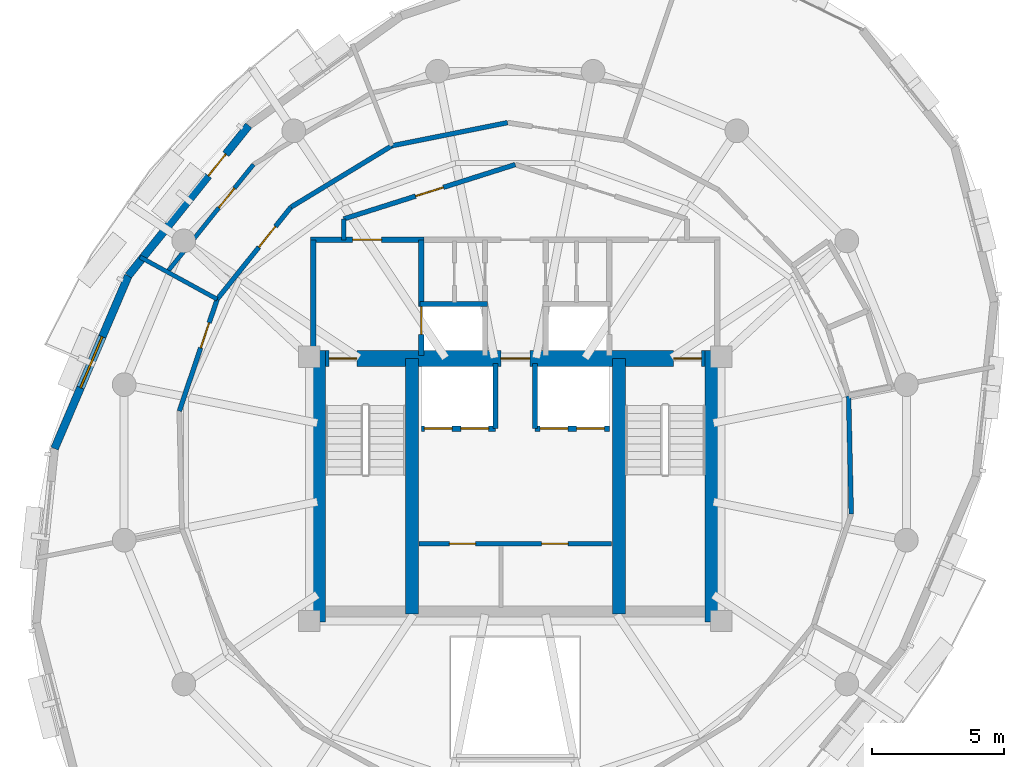
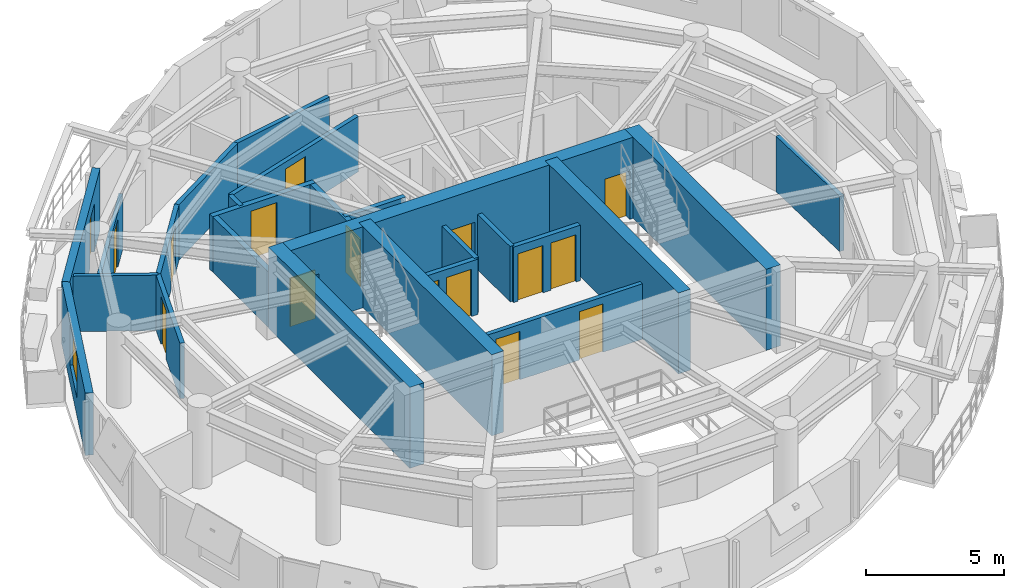
# One storey, part 7 of 11: 25 walls, 16 doors, 1 window, 17 openings.
"""IFC4 building model written with IfcOpenShell, lengths in metres."""

from ifc_helpers import new_model, si_unit, direction, frame, frame_2d, origin, place, context, subcontext, project, spatial, rectangle, extrude, material, layer, layer_set, type_object, element, fill, save


model = new_model("IFC4")

# Units and contexts
model_context = context("Model", 3, precision=1e-05, world=origin(), true_north=direction((0.0, 1.0)))
body_context = subcontext(model_context, "Body", "Model", "MODEL_VIEW")
ifc_project = project(units=[si_unit("LENGTHUNIT", "METRE"), si_unit("AREAUNIT", "SQUARE_METRE"), si_unit("VOLUMEUNIT", "CUBIC_METRE"), si_unit("PLANEANGLEUNIT", "RADIAN"), si_unit("MASSUNIT", "GRAM", prefix="KILO"), si_unit("THERMODYNAMICTEMPERATUREUNIT", "KELVIN"), si_unit("POWERUNIT", "WATT")], contexts=[model_context])

# Site, building, storey
site_placement = place(None, origin())
site = spatial("IfcSite", under=ifc_project, at=site_placement, CompositionType="ELEMENT")
building_placement = place(site_placement, origin())
building = spatial("IfcBuilding", under=site, at=building_placement, Name="Ocrelia Relay Tower", CompositionType="ELEMENT")
storey_placement = place(building_placement, frame((0.0, 0.0, 244.800048828125)))
storey = spatial("IfcBuildingStorey", under=building, at=storey_placement, Name="L60", CompositionType="ELEMENT", Elevation=244.800048828125)

# Wall, openings, doors
ifc_material_1 = material(Name="Concrete C50/60", Category="concrete")
ifc_layer_1 = layer(ifc_material_1, 0.60009765625, Name="Concrete C50/60")
ifc_layer_set_1 = layer_set([ifc_layer_1], Name="Concrete C50/60")
wall_type_1 = type_object("IfcWallType", Name="CW-CORE-600B", PredefinedType="SHEAR", material=ifc_layer_set_1)
wall_1_placement = place(storey_placement, frame((26.221923828125, 29.93798828125, 0.0), z_axis=(0.0, 0.0, 1.0), x_axis=(1.0, 0.0, 0.0)))
wall_1 = element("IfcWall", 1, at=wall_1_placement, inside=storey, type_object=wall_type_1, Name="L60 Core Shear Wall N", PredefinedType="SHEAR", context=body_context, shape_type="SweptSolid", body=[
    extrude(rectangle(XDim=15.566162109375, YDim=0.60009765625, at=frame_2d((7.783203125, 0.0))), origin(), (0.0, 0.0, 1.0), 3.599853515625),
])
opening_1_placement = place(wall_1_placement, frame((0.72802734375, 0.0, 0.0)))
opening_1 = element("IfcOpeningElement", 2, at=opening_1_placement, cuts=wall_1, Name="Opening D-FD90", PredefinedType="OPENING", context=body_context, shape_type="SweptSolid", body=[
    extrude(rectangle(XDim=1.050048828125, YDim=2.14990234375, at=frame_2d((0.52490234375, 1.074951171875))), frame((0.0, 0.31005859375, 0.0), z_axis=(0.0, -1.0, 0.0), x_axis=(1.0, 0.0, 0.0)), (0.0, 0.0, 1.0), 0.6201171875),
])
opening_2_placement = place(wall_1_placement, frame((13.778076171875, 0.0, 0.0)))
opening_2 = element("IfcOpeningElement", 3, at=opening_2_placement, cuts=wall_1, Name="Opening D-FD90", PredefinedType="OPENING", context=body_context, shape_type="SweptSolid", body=[
    extrude(rectangle(XDim=1.050048828125, YDim=2.14990234375, at=frame_2d((0.52490234375, 1.074951171875))), frame((0.0, 0.31005859375, 0.0), z_axis=(0.0, -1.0, 0.0), x_axis=(1.0, 0.0, 0.0)), (0.0, 0.0, 1.0), 0.6201171875),
])
opening_3_placement = place(wall_1_placement, frame((7.22802734375, 0.0, 0.0)))
opening_3 = element("IfcOpeningElement", 4, at=opening_3_placement, cuts=wall_1, Name="Opening D-FD60", PredefinedType="OPENING", context=body_context, shape_type="SweptSolid", body=[
    extrude(rectangle(XDim=1.10009765625, YDim=2.14990234375, at=frame_2d((0.550048828125, 1.074951171875))), frame((0.0, 0.31005859375, 0.0), z_axis=(0.0, -1.0, 0.0), x_axis=(1.0, 0.0, 0.0)), (0.0, 0.0, 1.0), 0.6201171875),
])
ifc_material_2 = material(Name="Timber-core 60-min acoustic fire door", Category="wood")
door_type_1 = type_object("IfcDoorType", Name="DR-LOBBY-FD60-1100", OperationType="NOTDEFINED", PredefinedType="DOOR", material=ifc_material_2)
door_1_placement = place(opening_3_placement, origin())
door_1 = element("IfcDoor", 5, at=door_1_placement, inside=storey, type_object=door_type_1, Name="L60 Core Lift Lobby North Fire Door", OperationType="SINGLE_SWING_RIGHT", OverallHeight=2.14990234375, OverallWidth=1.10009765625, PredefinedType="DOOR", context=body_context, shape_type="SweptSolid", body=[
    extrude(rectangle(XDim=1.10009765625, YDim=2.14990234375, at=frame_2d((0.550048828125, 1.074951171875))), frame((0.0, 0.02490234375, 0.0), z_axis=(0.0, -1.0, 0.0), x_axis=(1.0, 0.0, 0.0)), (0.0, 0.0, 1.0), 0.050048828125),
])
fill(opening_3, door_1)
ifc_material_3 = material(Name="Steel S355 90-min fire door", Category="steel")
door_type_2 = type_object("IfcDoorType", Name="DR-STAIR-FD90-1050", OperationType="NOTDEFINED", PredefinedType="DOOR", material=ifc_material_3)
door_2_placement = place(opening_1_placement, origin())
door_2 = element("IfcDoor", 6, at=door_2_placement, inside=storey, type_object=door_type_2, Name="L60 Stair ST1 Fire Door", OperationType="SINGLE_SWING_RIGHT", OverallHeight=2.14990234375, OverallWidth=1.050048828125, PredefinedType="DOOR", context=body_context, shape_type="SweptSolid", body=[
    extrude(rectangle(XDim=1.050048828125, YDim=2.14990234375, at=frame_2d((0.52490234375, 1.074951171875))), frame((0.0, 0.02490234375, 0.0), z_axis=(0.0, -1.0, 0.0), x_axis=(1.0, 0.0, 0.0)), (0.0, 0.0, 1.0), 0.050048828125),
])
fill(opening_1, door_2)
door_3_placement = place(opening_2_placement, origin())
door_3 = element("IfcDoor", 7, at=door_3_placement, inside=storey, type_object=door_type_2, Name="L60 Stair ST2 Fire Door", OperationType="SINGLE_SWING_LEFT", OverallHeight=2.14990234375, OverallWidth=1.050048828125, PredefinedType="DOOR", context=body_context, shape_type="SweptSolid", body=[
    extrude(rectangle(XDim=1.050048828125, YDim=2.14990234375, at=frame_2d((0.52490234375, 1.074951171875))), frame((0.0, 0.02490234375, 0.0), z_axis=(0.0, -1.0, 0.0), x_axis=(1.0, 0.0, 0.0)), (0.0, 0.0, 1.0), 0.050048828125),
])
fill(opening_2, door_3)

# Walls
for number, where, z_axis, x_axis, name in (
    (8, (26.52197265625, 19.9619140625, 0.0), (0.0, 0.0, 1.0), (0.0, 1.0, 0.0), "L60 Core Shear Wall W"),
    (9, (41.488037109375, 19.9619140625, 0.0), (0.0, 0.0, 1.0), (0.0, 1.0, 0.0), "L60 Core Shear Wall E"),
):
    element("IfcWall", number, at=place(storey_placement, frame(where, z_axis=z_axis, x_axis=x_axis)), inside=storey, type_object=wall_type_1, Name=name, PredefinedType="SHEAR", context=body_context, shape_type="SweptSolid", body=[
        extrude(rectangle(XDim=10.276123046875, YDim=0.60009765625, at=frame_2d((5.13818359375, 0.0))), origin(), (0.0, 0.0, 1.0), 3.599853515625),
    ])
for number, where, z_axis, x_axis, name in (
    (10, (30.087890625, 20.261962890625, 0.0), (0.0, 0.0, 1.0), (0.0, 1.0, 0.0), "L60 Core Shear Wall SPW"),
    (11, (37.922119140625, 20.261962890625, 0.0), (0.0, 0.0, 1.0), (0.0, 1.0, 0.0), "L60 Core Shear Wall SPE"),
):
    element("IfcWall", number, at=place(storey_placement, frame(where, z_axis=z_axis, x_axis=x_axis)), inside=storey, type_object=wall_type_1, Name=name, PredefinedType="SHEAR", context=body_context, shape_type="SweptSolid", body=[
        extrude(rectangle(XDim=9.676025390625, YDim=0.5, at=frame_2d((4.837890625, 0.0))), origin(), (0.0, 0.0, 1.0), 3.599853515625),
    ])

# Wall, openings, doors
ifc_material_4 = material(Name="Gypsum Fireboard Partition EI60", Category="gypsum")
ifc_layer_2 = layer(ifc_material_4, 0.179931640625, Name="Gypsum Fireboard Partition EI60")
ifc_layer_set_2 = layer_set([ifc_layer_2], Name="Gypsum Fireboard Partition EI60")
wall_type_2 = type_object("IfcWallType", Name="W-CORR-EI60-180", PredefinedType="PARTITIONING", material=ifc_layer_set_2)
wall_2_placement = place(storey_placement, frame((30.35009765625, 22.919921875, 0.0), z_axis=(0.0, 0.0, 1.0), x_axis=(1.0, 0.0, 0.0)))
wall_2 = element("IfcWall", 12, at=wall_2_placement, inside=storey, type_object=wall_type_2, Name="L60 Reclaimed Core Room Partition", PredefinedType="PARTITIONING", context=body_context, shape_type="SweptSolid", body=[
    extrude(rectangle(XDim=7.2998046875, YDim=0.179931640625, at=frame_2d((3.64990234375, 0.0))), origin(), (0.0, 0.0, 1.0), 2.4599609375),
])
opening_4_placement = place(wall_2_placement, frame((1.14990234375, 0.0, 0.0)))
opening_4 = element("IfcOpeningElement", 13, at=opening_4_placement, cuts=wall_2, Name="Opening D-RM100", PredefinedType="OPENING", context=body_context, shape_type="SweptSolid", body=[
    extrude(rectangle(XDim=1.0, YDim=2.14990234375, at=frame_2d((0.5, 1.074951171875))), frame((0.0, 0.10009765625, 0.0), z_axis=(0.0, -1.0, 0.0), x_axis=(1.0, 0.0, 0.0)), (0.0, 0.0, 1.0), 0.199951171875),
])
opening_5_placement = place(wall_2_placement, frame((4.64990234375, 0.0, 0.0)))
opening_5 = element("IfcOpeningElement", 14, at=opening_5_placement, cuts=wall_2, Name="Opening D-RM100", PredefinedType="OPENING", context=body_context, shape_type="SweptSolid", body=[
    extrude(rectangle(XDim=1.0, YDim=2.14990234375, at=frame_2d((0.5, 1.074951171875))), frame((0.0, 0.10009765625, 0.0), z_axis=(0.0, -1.0, 0.0), x_axis=(1.0, 0.0, 0.0)), (0.0, 0.0, 1.0), 0.199951171875),
])
ifc_material_5 = material(Name="Acoustic oak veneer fire door", Category="wood")
door_type_3 = type_object("IfcDoorType", Name="DR-ROOM-FD60-1000", OperationType="NOTDEFINED", PredefinedType="DOOR", material=ifc_material_5)
door_4_placement = place(opening_4_placement, origin())
door_4 = element("IfcDoor", 15, at=door_4_placement, inside=storey, type_object=door_type_3, Name="L60 Reclaimed Core Room 1 Door", OperationType="SINGLE_SWING_RIGHT", OverallHeight=2.14990234375, OverallWidth=1.0, PredefinedType="DOOR", context=body_context, shape_type="SweptSolid", body=[
    extrude(rectangle(XDim=1.0, YDim=2.14990234375, at=frame_2d((0.5, 1.074951171875))), frame((0.0, 0.02490234375, 0.0), z_axis=(0.0, -1.0, 0.0), x_axis=(1.0, 0.0, 0.0)), (0.0, 0.0, 1.0), 0.050048828125),
])
fill(opening_4, door_4)
door_5_placement = place(opening_5_placement, origin())
door_5 = element("IfcDoor", 16, at=door_5_placement, inside=storey, type_object=door_type_3, Name="L60 Reclaimed Core Room 2 Door", OperationType="SINGLE_SWING_LEFT", OverallHeight=2.14990234375, OverallWidth=1.0, PredefinedType="DOOR", context=body_context, shape_type="SweptSolid", body=[
    extrude(rectangle(XDim=1.0, YDim=2.14990234375, at=frame_2d((0.5, 1.074951171875))), frame((0.0, 0.02490234375, 0.0), z_axis=(0.0, -1.0, 0.0), x_axis=(1.0, 0.0, 0.0)), (0.0, 0.0, 1.0), 0.050048828125),
])
fill(opening_5, door_5)

# Wall
wall_3_placement = place(storey_placement, frame((27.5, 34.429931640625, 0.0), z_axis=(0.0, 0.0, 1.0), x_axis=(0.0, 1.0, 0.0)))
element("IfcWall", 17, at=wall_3_placement, inside=storey, type_object=wall_type_2, Name="L60 Smoke Lobby West Return", PredefinedType="PARTITIONING", context=body_context, shape_type="SweptSolid", body=[
    extrude(rectangle(XDim=0.7890625, YDim=0.179931640625, at=frame_2d((0.39453125, 0.0))), origin(), (0.0, 0.0, 1.0), 2.4599609375),
])

# Wall, opening, door
wall_4_placement = place(storey_placement, frame((27.5, 35.218994140625, 0.0), z_axis=(0.0, 0.0, 1.0), x_axis=(0.953228121756, 0.302251795518, 0.0)))
wall_4 = element("IfcWall", 18, at=wall_4_placement, inside=storey, type_object=wall_type_2, Name="L60 North Smoke Lobby W Screen Wall", PredefinedType="PARTITIONING", context=body_context, shape_type="SweptSolid", body=[
    extrude(rectangle(XDim=6.81884765625, YDim=0.179931640625, at=frame_2d((3.409423828125, 0.0))), origin(), (0.0, 0.0, 1.0), 2.4599609375),
])
opening_6_placement = place(wall_4_placement, frame((2.859619140625, 0.0, 0.0)))
opening_6 = element("IfcOpeningElement", 19, at=opening_6_placement, cuts=wall_4, Name="Opening D-FD60", PredefinedType="OPENING", context=body_context, shape_type="SweptSolid", body=[
    extrude(rectangle(XDim=1.10009765625, YDim=2.14990234375, at=frame_2d((0.550048828125, 1.074951171875))), frame((0.0, 0.10009765625, 0.0), z_axis=(0.0, -1.0, 0.0), x_axis=(1.0, 0.0, 0.0)), (0.0, 0.0, 1.0), 0.199951171875),
])
door_6_placement = place(opening_6_placement, origin())
door_6 = element("IfcDoor", 20, at=door_6_placement, inside=storey, type_object=door_type_1, Name="L60 North Smoke Lobby W Fire Door", OperationType="SINGLE_SWING_RIGHT", OverallHeight=2.14990234375, OverallWidth=1.10009765625, PredefinedType="DOOR", context=body_context, shape_type="SweptSolid", body=[
    extrude(rectangle(XDim=1.10009765625, YDim=2.14990234375, at=frame_2d((0.550048828125, 1.074951171875))), frame((0.0, 0.02490234375, 0.0), z_axis=(0.0, -1.0, 0.0), x_axis=(1.0, 0.0, 0.0)), (0.0, 0.0, 1.0), 0.050048828125),
])
fill(opening_6, door_6)

# Walls
for number, where, z_axis, x_axis, name in (
    (21, (33.7080078125, 38.86669921875, 0.0), (0.0, 0.0, 1.0), (-0.980618472296, -0.195927057323, 0.0), "L60 Directorate Conference Room Corridor Partition 2"),
    (22, (29.324951171875, 37.990966796875, 0.0), (0.0, 0.0, 1.0), (-0.854436839573, -0.519555278272, 0.0), "L60 Regulatory Seminar Room Corridor Partition 1"),
):
    element("IfcWall", number, at=place(storey_placement, frame(where, z_axis=z_axis, x_axis=x_axis)), inside=storey, type_object=wall_type_2, Name=name, PredefinedType="PARTITIONING", context=body_context, shape_type="SweptSolid", body=[
        extrude(rectangle(XDim=4.4697265625, YDim=0.179931640625, at=frame_2d((2.23486328125, 0.0))), origin(), (0.0, 0.0, 1.0), 2.4599609375),
    ])

# Wall, opening, door
wall_5_placement = place(storey_placement, frame((25.505859375, 35.668701171875, 0.0), z_axis=(0.0, 0.0, 1.0), x_axis=(-0.625247763114, -0.78042631601, 0.0)))
wall_5 = element("IfcWall", 23, at=wall_5_placement, inside=storey, type_object=wall_type_2, Name="L60 Regulatory Seminar Room Corridor Partition 2", PredefinedType="PARTITIONING", context=body_context, shape_type="SweptSolid", body=[
    extrude(rectangle(XDim=4.4697265625, YDim=0.179931640625, at=frame_2d((2.23486328125, 0.0))), origin(), (0.0, 0.0, 1.0), 2.4599609375),
])
opening_7_placement = place(wall_5_placement, frame((0.9423828125, 0.0, 0.0)))
opening_7 = element("IfcOpeningElement", 24, at=opening_7_placement, cuts=wall_5, Name="Opening D-RM100", PredefinedType="OPENING", context=body_context, shape_type="SweptSolid", body=[
    extrude(rectangle(XDim=1.0, YDim=2.14990234375, at=frame_2d((0.5, 1.074951171875))), frame((0.0, 0.10009765625, 0.0), z_axis=(0.0, -1.0, 0.0), x_axis=(1.0, 0.0, 0.0)), (0.0, 0.0, 1.0), 0.199951171875),
])
door_7_placement = place(opening_7_placement, origin())
door_7 = element("IfcDoor", 25, at=door_7_placement, inside=storey, type_object=door_type_3, Name="L60 Regulatory Seminar Room Entrance Door", OperationType="SINGLE_SWING_LEFT", OverallHeight=2.14990234375, OverallWidth=1.0, PredefinedType="DOOR", context=body_context, shape_type="SweptSolid", body=[
    extrude(rectangle(XDim=1.0, YDim=2.14990234375, at=frame_2d((0.5, 1.074951171875))), frame((0.0, 0.02490234375, 0.0), z_axis=(0.0, -1.0, 0.0), x_axis=(1.0, 0.0, 0.0)), (0.0, 0.0, 1.0), 0.050048828125),
])
fill(opening_7, door_7)

wall_6_placement = place(storey_placement, frame((22.711181640625, 32.180419921875, 0.0), z_axis=(0.0, 0.0, 1.0), x_axis=(-0.320632364631, -0.947203719773, 0.0)))
wall_6 = element("IfcWall", 26, at=wall_6_placement, inside=storey, type_object=wall_type_2, Name="L60 Treaty Negotiation Room Corridor Partition 1", PredefinedType="PARTITIONING", context=body_context, shape_type="SweptSolid", body=[
    extrude(rectangle(XDim=4.4697265625, YDim=0.179931640625, at=frame_2d((2.23486328125, 0.0))), origin(), (0.0, 0.0, 1.0), 2.4599609375),
])
opening_8_placement = place(wall_6_placement, frame((0.9423828125, 0.0, 0.0)))
opening_8 = element("IfcOpeningElement", 27, at=opening_8_placement, cuts=wall_6, Name="Opening D-RM100", PredefinedType="OPENING", context=body_context, shape_type="SweptSolid", body=[
    extrude(rectangle(XDim=1.0, YDim=2.14990234375, at=frame_2d((0.5, 1.074951171875))), frame((0.0, 0.10009765625, 0.0), z_axis=(0.0, -1.0, 0.0), x_axis=(1.0, 0.0, 0.0)), (0.0, 0.0, 1.0), 0.199951171875),
])
door_8_placement = place(opening_8_placement, origin())
door_8 = element("IfcDoor", 28, at=door_8_placement, inside=storey, type_object=door_type_3, Name="L60 Treaty Negotiation Room Entrance Door", OperationType="SINGLE_SWING_LEFT", OverallHeight=2.14990234375, OverallWidth=1.0, PredefinedType="DOOR", context=body_context, shape_type="SweptSolid", body=[
    extrude(rectangle(XDim=1.0, YDim=2.14990234375, at=frame_2d((0.5, 1.074951171875))), frame((0.0, 0.02490234375, 0.0), z_axis=(0.0, -1.0, 0.0), x_axis=(1.0, 0.0, 0.0)), (0.0, 0.0, 1.0), 0.050048828125),
])
fill(opening_8, door_8)

# Wall
wall_7_placement = place(storey_placement, frame((46.721923828125, 24.05322265625, 0.0), z_axis=(0.0, 0.0, 1.0), x_axis=(-0.022668052471, 0.999743046686, 0.0)))
element("IfcWall", 29, at=wall_7_placement, inside=storey, type_object=wall_type_2, Name="L60 Hospitality Servery Pantry Corridor Partition 2", PredefinedType="PARTITIONING", context=body_context, shape_type="SweptSolid", body=[
    extrude(rectangle(XDim=4.4697265625, YDim=0.179931640625, at=frame_2d((2.23486328125, 0.0))), origin(), (0.0, 0.0, 1.0), 2.4599609375),
])

# Wall, opening, door
ifc_material_6 = material(Name="Precast concrete C40/50 with oxide terracotta", Category="masonry")
ifc_layer_3 = layer(ifc_material_6, 0.300048828125, Name="Precast concrete C40/50 with oxide terracotta")
ifc_layer_set_3 = layer_set([ifc_layer_3], Name="Precast concrete C40/50 with oxide terracotta")
wall_type_3 = type_object("IfcWallType", Name="W-EXT-TERR-300", PredefinedType="SOLIDWALL", material=ifc_layer_set_3)
wall_8_placement = place(storey_placement, frame((23.906005859375, 38.759521484375, 0.0), z_axis=(0.0, 0.0, 1.0), x_axis=(-0.625225587143, -0.780444082034, 0.0)))
wall_8 = element("IfcWall", 30, at=wall_8_placement, inside=storey, type_object=wall_type_3, Name="L60 Oxide Terracotta Facade Wall 05", PredefinedType="SOLIDWALL", context=body_context, shape_type="SweptSolid", body=[
    extrude(rectangle(XDim=7.29345703125, YDim=0.300048828125, at=frame_2d((3.646728515625, 0.0))), origin(), (0.0, 0.0, 1.0), 2.760009765625),
])
opening_9_placement = place(wall_8_placement, frame((1.389892578125, 0.0, 0.0)))
opening_9 = element("IfcOpeningElement", 31, at=opening_9_placement, cuts=wall_8, Name="Opening DB-105", PredefinedType="OPENING", context=body_context, shape_type="SweptSolid", body=[
    extrude(rectangle(XDim=1.050048828125, YDim=2.14990234375, at=frame_2d((0.52490234375, 1.074951171875))), frame((0.0, 0.16015625, 0.0), z_axis=(0.0, -1.0, 0.0), x_axis=(1.0, 0.0, 0.0)), (0.0, 0.0, 1.0), 0.320068359375),
])
ifc_material_7 = material(Name="Thermally broken aluminium and clear glass", Category="aluminium")
door_type_4 = type_object("IfcDoorType", Name="DR-BALC-1050", OperationType="NOTDEFINED", PredefinedType="DOOR", material=ifc_material_7)
door_9_placement = place(opening_9_placement, origin())
door_9 = element("IfcDoor", 32, at=door_9_placement, inside=storey, type_object=door_type_4, Name="L60 Planted Loggia Balcony Door B1", OperationType="SINGLE_SWING_LEFT", OverallHeight=2.14990234375, OverallWidth=1.050048828125, PredefinedType="DOOR", context=body_context, shape_type="SweptSolid", body=[
    extrude(rectangle(XDim=1.050048828125, YDim=2.14990234375, at=frame_2d((0.52490234375, 1.074951171875))), frame((0.0, 0.02490234375, 0.0), z_axis=(0.0, -1.0, 0.0), x_axis=(1.0, 0.0, 0.0)), (0.0, 0.0, 1.0), 0.050048828125),
])
fill(opening_9, door_9)

# Wall, opening, window
wall_9_placement = place(storey_placement, frame((19.345947265625, 33.0673828125, 0.0), z_axis=(0.0, 0.0, 1.0), x_axis=(-0.392473519116, -0.919763304765, 0.0)))
wall_9 = element("IfcWall", 33, at=wall_9_placement, inside=storey, type_object=wall_type_3, Name="L60 Oxide Terracotta Facade Wall 06", PredefinedType="SOLIDWALL", context=body_context, shape_type="SweptSolid", body=[
    extrude(rectangle(XDim=7.114990234375, YDim=0.300048828125, at=frame_2d((3.5576171875, 0.0))), origin(), (0.0, 0.0, 1.0), 2.760009765625),
])
opening_10_placement = place(wall_9_placement, frame((2.508056640625, 0.0, 0.800048828125)))
opening_10 = element("IfcOpeningElement", 34, at=opening_10_placement, cuts=wall_9, Name="Opening W-07", PredefinedType="OPENING", context=body_context, shape_type="SweptSolid", body=[
    extrude(rectangle(XDim=2.10009765625, YDim=1.85009765625, at=frame_2d((1.050048828125, 0.925048828125))), frame((0.0, 0.16015625, 0.0), z_axis=(0.0, -1.0, 0.0), x_axis=(1.0, 0.0, 0.0)), (0.0, 0.0, 1.0), 0.320068359375),
])
ifc_material_8 = material(Name="Clear double-glazed low-E glass", Category="glass")
window_type = type_object("IfcWindowType", Name="WIN-Z4-2100x2200", PartitioningType="DOUBLE_PANEL_VERTICAL", PredefinedType="WINDOW", material=ifc_material_8)
window_placement = place(opening_10_placement, origin())
window = element("IfcWindow", 35, at=window_placement, inside=storey, type_object=window_type, Name="L60 Facade Module Window 06", OverallHeight=1.85009765625, OverallWidth=2.10009765625, PartitioningType="SINGLE_PANEL", PredefinedType="WINDOW", context=body_context, shape_type="SweptSolid", body=[
    extrude(rectangle(XDim=2.10009765625, YDim=1.85009765625, at=frame_2d((1.050048828125, 0.925048828125))), frame((0.0, 0.030029296875, 0.0), z_axis=(0.0, -1.0, 0.0), x_axis=(1.0, 0.0, 0.0)), (0.0, 0.0, 1.0), 0.06005859375),
])
fill(opening_10, window)

# Wall
ifc_layer_4 = layer(ifc_material_1, 0.219970703125, Name="Concrete C50/60")
ifc_layer_set_4 = layer_set([ifc_layer_4], Name="Concrete C50/60")
wall_type_4 = type_object("IfcWallType", Name="W-FFL-EI120-220", PredefinedType="SOLIDWALL", material=ifc_layer_set_4)
wall_10_placement = place(storey_placement, frame((26.35009765625, 30.050048828125, 0.0), z_axis=(0.0, 0.0, 1.0), x_axis=(0.0, 1.0, 0.0)))
element("IfcWall", 36, at=wall_10_placement, inside=storey, type_object=wall_type_4, Name="L60 W Fire Service Lift Lobby West Wall", PredefinedType="SOLIDWALL", context=body_context, shape_type="SweptSolid", body=[
    extrude(rectangle(XDim=4.3798828125, YDim=0.219970703125, at=frame_2d((2.18994140625, 0.0))), origin(), (0.0, 0.0, 1.0), 2.4599609375),
])

# Wall, opening, door
wall_11_placement = place(storey_placement, frame((30.43994140625, 30.050048828125, 0.0), z_axis=(0.0, 0.0, 1.0), x_axis=(0.0, 1.0, 0.0)))
wall_11 = element("IfcWall", 37, at=wall_11_placement, inside=storey, type_object=wall_type_4, Name="L60 W Fire Service Lift Lobby East Wall", PredefinedType="SOLIDWALL", context=body_context, shape_type="SweptSolid", body=[
    extrude(rectangle(XDim=4.3798828125, YDim=0.219970703125, at=frame_2d((2.18994140625, 0.0))), origin(), (0.0, 0.0, 1.0), 2.4599609375),
])
opening_11_placement = place(wall_11_placement, frame((0.800048828125, 0.0, 0.0)))
opening_11 = element("IfcOpeningElement", 38, at=opening_11_placement, cuts=wall_11, Name="Opening LD-FFL1", PredefinedType="OPENING", context=body_context, shape_type="SweptSolid", body=[
    extrude(rectangle(XDim=1.050048828125, YDim=2.10009765625, at=frame_2d((0.52490234375, 1.050048828125))), frame((0.0, 0.1201171875, 0.0), z_axis=(0.0, -1.0, 0.0), x_axis=(1.0, 0.0, 0.0)), (0.0, 0.0, 1.0), 0.239990234375),
])
ifc_material_9 = material(Name="Brushed stainless steel S355 lift landing door", Category="steel")
door_type_5 = type_object("IfcDoorType", Name="DR-LIFT-LAND-1050", OperationType="DOUBLE_DOOR_SLIDING", PredefinedType="USERDEFINED", material=ifc_material_9)
door_10_placement = place(opening_11_placement, origin())
door_10 = element("IfcDoor", 39, at=door_10_placement, inside=storey, type_object=door_type_5, Name="L60 Firefighting Lift FFL1 Sliding Landing Door", ObjectType="LANDING DOOR", OperationType="DOUBLE_DOOR_SLIDING", OverallHeight=2.10009765625, OverallWidth=1.050048828125, PredefinedType="USERDEFINED", context=body_context, shape_type="SweptSolid", body=[
    extrude(rectangle(XDim=1.050048828125, YDim=2.10009765625, at=frame_2d((0.52490234375, 1.050048828125))), frame((0.0, 0.02490234375, 0.0), z_axis=(0.0, -1.0, 0.0), x_axis=(1.0, 0.0, 0.0)), (0.0, 0.0, 1.0), 0.050048828125),
])
fill(opening_11, door_10)

wall_12_placement = place(storey_placement, frame((26.239990234375, 34.429931640625, 0.0), z_axis=(0.0, 0.0, 1.0), x_axis=(1.0, 0.0, 0.0)))
wall_12 = element("IfcWall", 40, at=wall_12_placement, inside=storey, type_object=wall_type_4, Name="L60 W Fire Service Lift Lobby North Wall", PredefinedType="SOLIDWALL", context=body_context, shape_type="SweptSolid", body=[
    extrude(rectangle(XDim=4.31005859375, YDim=0.219970703125, at=frame_2d((2.155029296875, 0.0))), origin(), (0.0, 0.0, 1.0), 2.4599609375),
])
opening_12_placement = place(wall_12_placement, frame((1.60009765625, 0.0, 0.0)))
opening_12 = element("IfcOpeningElement", 41, at=opening_12_placement, cuts=wall_12, Name="Opening D-FD60", PredefinedType="OPENING", context=body_context, shape_type="SweptSolid", body=[
    extrude(rectangle(XDim=1.10009765625, YDim=2.14990234375, at=frame_2d((0.550048828125, 1.074951171875))), frame((0.0, 0.1201171875, 0.0), z_axis=(0.0, -1.0, 0.0), x_axis=(1.0, 0.0, 0.0)), (0.0, 0.0, 1.0), 0.239990234375),
])
door_11_placement = place(opening_12_placement, origin())
door_11 = element("IfcDoor", 42, at=door_11_placement, inside=storey, type_object=door_type_1, Name="L60 W Fire Service Lift Lobby Exit Door", OperationType="SINGLE_SWING_LEFT", OverallHeight=2.14990234375, OverallWidth=1.10009765625, PredefinedType="DOOR", context=body_context, shape_type="SweptSolid", body=[
    extrude(rectangle(XDim=1.10009765625, YDim=2.14990234375, at=frame_2d((0.550048828125, 1.074951171875))), frame((0.0, 0.02490234375, 0.0), z_axis=(0.0, -1.0, 0.0), x_axis=(1.0, 0.0, 0.0)), (0.0, 0.0, 1.0), 0.050048828125),
])
fill(opening_12, door_11)

# Wall
ifc_material_10 = material(Name="Acoustic Fireboard Partition EI60", Category="gypsum")
ifc_layer_5 = layer(ifc_material_10, 0.159912109375, Name="Acoustic Fireboard Partition EI60")
ifc_layer_set_5 = layer_set([ifc_layer_5], Name="Acoustic Fireboard Partition EI60")
wall_type_5 = type_object("IfcWallType", Name="W-PART-160", PredefinedType="PARTITIONING", material=ifc_layer_set_5)
wall_13_placement = place(storey_placement, frame((22.711181640625, 32.180419921875, 0.0), z_axis=(0.0, 0.0, 1.0), x_axis=(-0.877155073621, 0.480207222791, 0.0)))
element("IfcWall", 43, at=wall_13_placement, inside=storey, type_object=wall_type_5, Name="L60 Regulatory Seminar Room Radial Partition", PredefinedType="PARTITIONING", context=body_context, shape_type="SweptSolid", body=[
    extrude(rectangle(XDim=3.3310546875, YDim=0.159912109375, at=frame_2d((1.66552734375, 0.0))), origin(), (0.0, 0.0, 1.0), 2.4599609375),
])

# Wall, opening, door
wall_14_placement = place(storey_placement, frame((24.0869140625, 37.283935546875, 0.0), z_axis=(0.0, 0.0, 1.0), x_axis=(-0.625265628486, -0.78041200262, 0.0)))
wall_14 = element("IfcWall", 44, at=wall_14_placement, inside=storey, type_object=wall_type_5, Name="L60 Perimeter Regulatory Seminar Room Mid-Ring Partition 2", PredefinedType="PARTITIONING", context=body_context, shape_type="SweptSolid", body=[
    extrude(rectangle(XDim=5.216552734375, YDim=0.159912109375, at=frame_2d((2.6083984375, 0.0))), origin(), (0.0, 0.0, 1.0), 2.4599609375),
])
opening_13_placement = place(wall_14_placement, frame((1.156494140625, 0.0, 0.0)))
opening_13 = element("IfcOpeningElement", 45, at=opening_13_placement, cuts=wall_14, Name="Opening D-RM95", PredefinedType="OPENING", context=body_context, shape_type="SweptSolid", body=[
    extrude(rectangle(XDim=0.949951171875, YDim=2.14990234375, at=frame_2d((0.47509765625, 1.074951171875))), frame((0.0, 0.08984375, 0.0), z_axis=(0.0, -1.0, 0.0), x_axis=(1.0, 0.0, 0.0)), (0.0, 0.0, 1.0), 0.179931640625),
])
door_type_6 = type_object("IfcDoorType", Name="DR-ROOM-950", OperationType="NOTDEFINED", PredefinedType="DOOR", material=ifc_material_5)
door_12_placement = place(opening_13_placement, origin())
door_12 = element("IfcDoor", 46, at=door_12_placement, inside=storey, type_object=door_type_6, Name="L60 Perimeter Regulatory Seminar Room Connecting Door", OperationType="SINGLE_SWING_RIGHT", OverallHeight=2.14990234375, OverallWidth=0.949951171875, PredefinedType="DOOR", context=body_context, shape_type="SweptSolid", body=[
    extrude(rectangle(XDim=0.949951171875, YDim=2.14990234375, at=frame_2d((0.47509765625, 1.074951171875))), frame((0.0, 0.02490234375, 0.0), z_axis=(0.0, -1.0, 0.0), x_axis=(1.0, 0.0, 0.0)), (0.0, 0.0, 1.0), 0.050048828125),
])
fill(opening_13, door_12)

# Wall
ifc_layer_6 = layer(ifc_material_1, 0.199951171875, Name="Concrete C50/60")
ifc_layer_set_6 = layer_set([ifc_layer_6], Name="Concrete C50/60")
wall_type_6 = type_object("IfcWallType", Name="W-SHAFT-EI120-200", PredefinedType="SOLIDWALL", material=ifc_layer_set_6)
wall_15_placement = place(storey_placement, frame((30.39990234375, 32.0, 0.0), z_axis=(0.0, 0.0, 1.0), x_axis=(1.0, 0.0, 0.0)))
element("IfcWall", 47, at=wall_15_placement, inside=storey, type_object=wall_type_6, Name="L60 FFL1 Hoistway North Wall", PredefinedType="SOLIDWALL", context=body_context, shape_type="SweptSolid", body=[
    extrude(rectangle(XDim=2.550048828125, YDim=0.199951171875, at=frame_2d((1.27490234375, 0.0))), origin(), (0.0, 0.0, 1.0), 2.4599609375),
])

# Wall, openings, doors
wall_16_placement = place(storey_placement, frame((30.43994140625, 27.280029296875, 0.0), z_axis=(0.0, 0.0, 1.0), x_axis=(1.0, 0.0, 0.0)))
wall_16 = element("IfcWall", 48, at=wall_16_placement, inside=storey, type_object=wall_type_6, Name="L60 High-Rise Lift Hoistway Wall W", PredefinedType="SOLIDWALL", context=body_context, shape_type="SweptSolid", body=[
    extrude(rectangle(XDim=2.81005859375, YDim=0.199951171875, at=frame_2d((1.405029296875, 0.0))), origin(), (0.0, 0.0, 1.0), 2.4599609375),
])
opening_14_placement = place(wall_16_placement, frame((0.1201171875, 0.0, 0.0)))
opening_14 = element("IfcOpeningElement", 49, at=opening_14_placement, cuts=wall_16, Name="Opening LD-PL5", PredefinedType="OPENING", context=body_context, shape_type="SweptSolid", body=[
    extrude(rectangle(XDim=1.050048828125, YDim=2.10009765625, at=frame_2d((0.52490234375, 1.050048828125))), frame((0.0, 0.10986328125, 0.0), z_axis=(0.0, -1.0, 0.0), x_axis=(1.0, 0.0, 0.0)), (0.0, 0.0, 1.0), 0.219970703125),
])
opening_15_placement = place(wall_16_placement, frame((1.5, 0.0, 0.0)))
opening_15 = element("IfcOpeningElement", 50, at=opening_15_placement, cuts=wall_16, Name="Opening LD-PL6", PredefinedType="OPENING", context=body_context, shape_type="SweptSolid", body=[
    extrude(rectangle(XDim=1.050048828125, YDim=2.10009765625, at=frame_2d((0.52490234375, 1.050048828125))), frame((0.0, 0.10986328125, 0.0), z_axis=(0.0, -1.0, 0.0), x_axis=(1.0, 0.0, 0.0)), (0.0, 0.0, 1.0), 0.219970703125),
])
door_13_placement = place(opening_14_placement, origin())
door_13 = element("IfcDoor", 51, at=door_13_placement, inside=storey, type_object=door_type_5, Name="L60 High-Rise Lift PL5 Sliding Landing Door", ObjectType="LANDING DOOR", OperationType="DOUBLE_DOOR_SLIDING", OverallHeight=2.10009765625, OverallWidth=1.050048828125, PredefinedType="USERDEFINED", context=body_context, shape_type="SweptSolid", body=[
    extrude(rectangle(XDim=1.050048828125, YDim=2.10009765625, at=frame_2d((0.52490234375, 1.050048828125))), frame((0.0, 0.02490234375, 0.0), z_axis=(0.0, -1.0, 0.0), x_axis=(1.0, 0.0, 0.0)), (0.0, 0.0, 1.0), 0.050048828125),
])
fill(opening_14, door_13)
door_14_placement = place(opening_15_placement, origin())
door_14 = element("IfcDoor", 52, at=door_14_placement, inside=storey, type_object=door_type_5, Name="L60 High-Rise Lift PL6 Sliding Landing Door", ObjectType="LANDING DOOR", OperationType="DOUBLE_DOOR_SLIDING", OverallHeight=2.10009765625, OverallWidth=1.050048828125, PredefinedType="USERDEFINED", context=body_context, shape_type="SweptSolid", body=[
    extrude(rectangle(XDim=1.050048828125, YDim=2.10009765625, at=frame_2d((0.52490234375, 1.050048828125))), frame((0.0, 0.02490234375, 0.0), z_axis=(0.0, -1.0, 0.0), x_axis=(1.0, 0.0, 0.0)), (0.0, 0.0, 1.0), 0.050048828125),
])
fill(opening_15, door_14)

# Wall
wall_17_placement = place(storey_placement, frame((33.25, 27.280029296875, 0.0), z_axis=(0.0, 0.0, 1.0), x_axis=(0.0, 1.0, 0.0)))
element("IfcWall", 53, at=wall_17_placement, inside=storey, type_object=wall_type_6, Name="L60 High-Rise Lift Throat Wall W", PredefinedType="SOLIDWALL", context=body_context, shape_type="SweptSolid", body=[
    extrude(rectangle(XDim=2.469970703125, YDim=0.179931640625, at=frame_2d((1.23486328125, 0.0))), origin(), (0.0, 0.0, 1.0), 2.4599609375),
])

# Wall, openings, doors
wall_18_placement = place(storey_placement, frame((34.75, 27.280029296875, 0.0), z_axis=(0.0, 0.0, 1.0), x_axis=(1.0, 0.0, 0.0)))
wall_18 = element("IfcWall", 54, at=wall_18_placement, inside=storey, type_object=wall_type_6, Name="L60 High-Rise Lift Hoistway Wall E", PredefinedType="SOLIDWALL", context=body_context, shape_type="SweptSolid", body=[
    extrude(rectangle(XDim=2.81005859375, YDim=0.199951171875, at=frame_2d((1.405029296875, 0.0))), origin(), (0.0, 0.0, 1.0), 2.4599609375),
])
opening_16_placement = place(wall_18_placement, frame((0.18994140625, 0.0, 0.0)))
opening_16 = element("IfcOpeningElement", 55, at=opening_16_placement, cuts=wall_18, Name="Opening LD-PL7", PredefinedType="OPENING", context=body_context, shape_type="SweptSolid", body=[
    extrude(rectangle(XDim=1.050048828125, YDim=2.10009765625, at=frame_2d((0.52490234375, 1.050048828125))), frame((0.0, 0.10986328125, 0.0), z_axis=(0.0, -1.0, 0.0), x_axis=(1.0, 0.0, 0.0)), (0.0, 0.0, 1.0), 0.219970703125),
])
opening_17_placement = place(wall_18_placement, frame((1.570068359375, 0.0, 0.0)))
opening_17 = element("IfcOpeningElement", 56, at=opening_17_placement, cuts=wall_18, Name="Opening LD-PL8", PredefinedType="OPENING", context=body_context, shape_type="SweptSolid", body=[
    extrude(rectangle(XDim=1.050048828125, YDim=2.10009765625, at=frame_2d((0.52490234375, 1.050048828125))), frame((0.0, 0.10986328125, 0.0), z_axis=(0.0, -1.0, 0.0), x_axis=(1.0, 0.0, 0.0)), (0.0, 0.0, 1.0), 0.219970703125),
])
door_15_placement = place(opening_16_placement, origin())
door_15 = element("IfcDoor", 57, at=door_15_placement, inside=storey, type_object=door_type_5, Name="L60 High-Rise Lift PL7 Sliding Landing Door", ObjectType="LANDING DOOR", OperationType="DOUBLE_DOOR_SLIDING", OverallHeight=2.10009765625, OverallWidth=1.050048828125, PredefinedType="USERDEFINED", context=body_context, shape_type="SweptSolid", body=[
    extrude(rectangle(XDim=1.050048828125, YDim=2.10009765625, at=frame_2d((0.52490234375, 1.050048828125))), frame((0.0, 0.02490234375, 0.0), z_axis=(0.0, -1.0, 0.0), x_axis=(1.0, 0.0, 0.0)), (0.0, 0.0, 1.0), 0.050048828125),
])
fill(opening_16, door_15)
door_16_placement = place(opening_17_placement, origin())
door_16 = element("IfcDoor", 58, at=door_16_placement, inside=storey, type_object=door_type_5, Name="L60 High-Rise Lift PL8 Sliding Landing Door", ObjectType="LANDING DOOR", OperationType="DOUBLE_DOOR_SLIDING", OverallHeight=2.10009765625, OverallWidth=1.050048828125, PredefinedType="USERDEFINED", context=body_context, shape_type="SweptSolid", body=[
    extrude(rectangle(XDim=1.050048828125, YDim=2.10009765625, at=frame_2d((0.52490234375, 1.050048828125))), frame((0.0, 0.02490234375, 0.0), z_axis=(0.0, -1.0, 0.0), x_axis=(1.0, 0.0, 0.0)), (0.0, 0.0, 1.0), 0.050048828125),
])
fill(opening_17, door_16)

# Wall
wall_19_placement = place(storey_placement, frame((34.75, 27.280029296875, 0.0), z_axis=(0.0, 0.0, 1.0), x_axis=(0.0, 1.0, 0.0)))
element("IfcWall", 59, at=wall_19_placement, inside=storey, type_object=wall_type_6, Name="L60 High-Rise Lift Throat Wall E", PredefinedType="SOLIDWALL", context=body_context, shape_type="SweptSolid", body=[
    extrude(rectangle(XDim=2.469970703125, YDim=0.179931640625, at=frame_2d((1.23486328125, 0.0))), origin(), (0.0, 0.0, 1.0), 2.4599609375),
])

save(model, "model.ifc")
